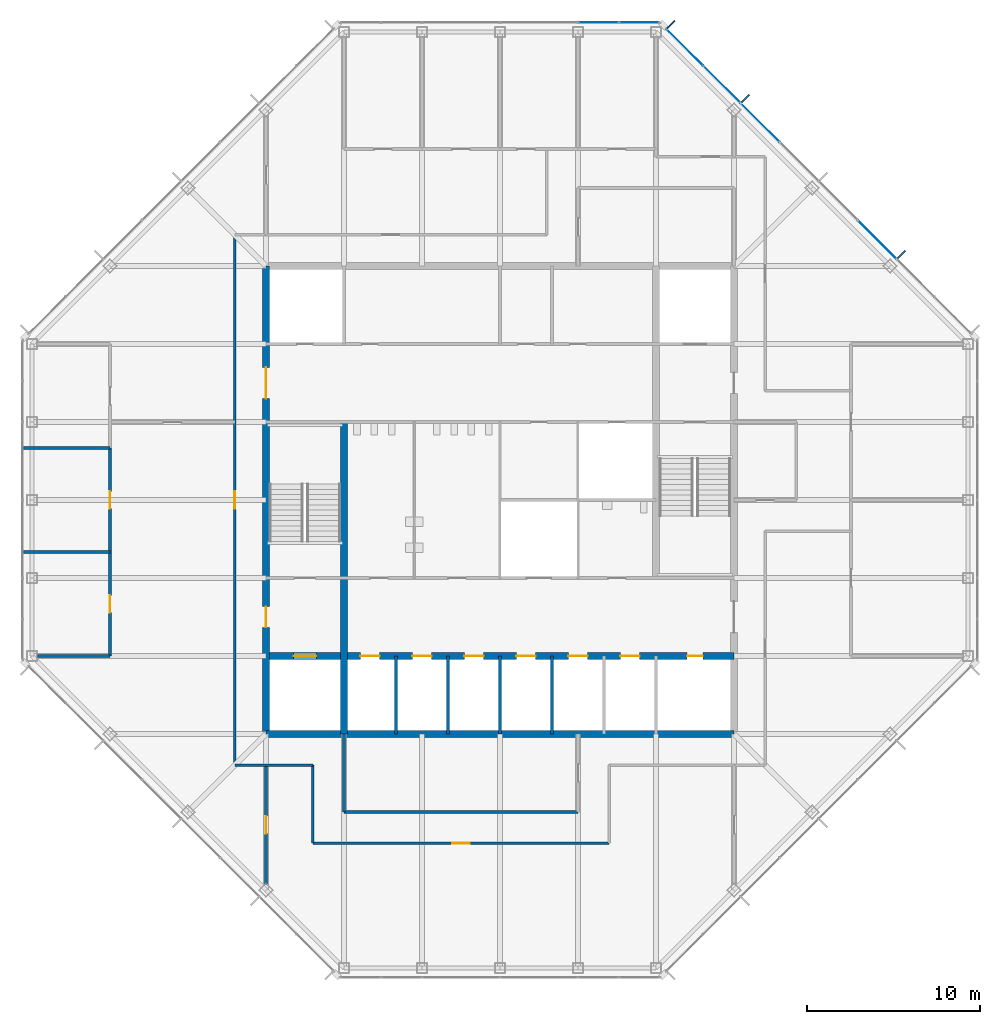
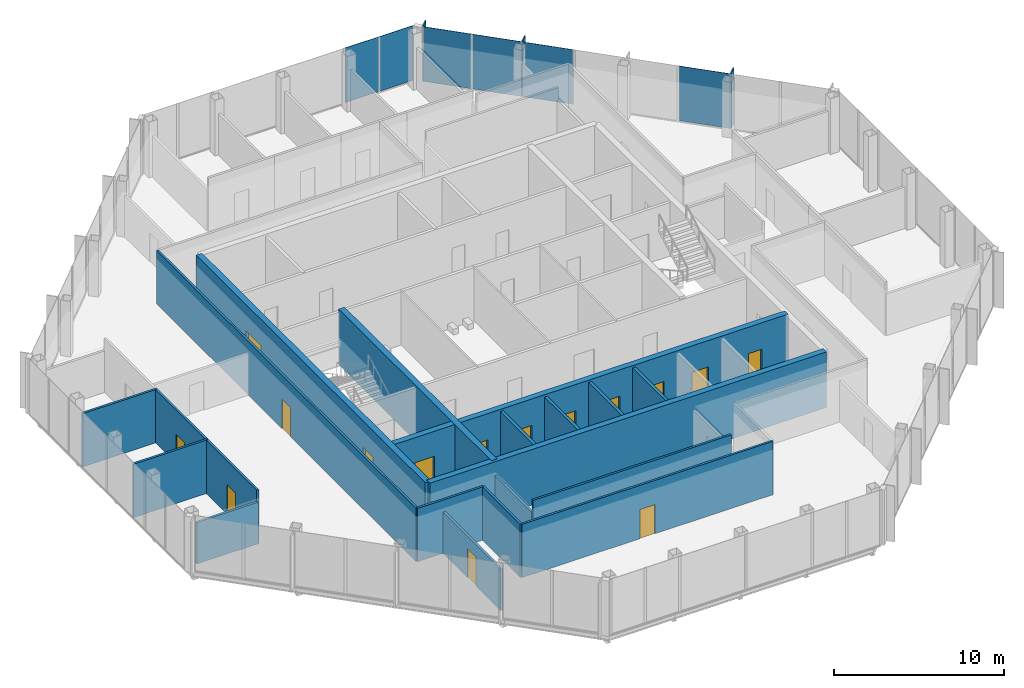
# One storey, part 9 of 14: 20 walls, 15 doors, 9 plates, 15 openings, 2 elements without a shape of their own.
"""IFC4 building model written with IfcOpenShell, lengths in metres."""

from ifc_helpers import new_model, si_unit, direction, frame, frame_2d, origin, origin_2d, place, context, subcontext, project, spatial, rectangle, extrude, material, layer, layer_set, type_object, element, fill, aggregate, save


model = new_model("IFC4")

# Units and contexts
model_context = context("Model", 3, precision=1e-05, world=origin(), true_north=direction((0.0, 1.0)))
body_context = subcontext(model_context, "Body", "Model", "MODEL_VIEW")
ifc_project = project(units=[si_unit("LENGTHUNIT", "METRE"), si_unit("AREAUNIT", "SQUARE_METRE"), si_unit("VOLUMEUNIT", "CUBIC_METRE"), si_unit("PLANEANGLEUNIT", "RADIAN"), si_unit("MASSUNIT", "GRAM", prefix="KILO")], contexts=[model_context])

# Site, building, storey
site_placement = place(None, origin())
site = spatial("IfcSite", under=ifc_project, at=site_placement, CompositionType="ELEMENT")
building_placement = place(site_placement, origin())
building = spatial("IfcBuilding", under=site, at=building_placement, Name="Corais Broadcast Tower", CompositionType="ELEMENT")
storey_placement = place(building_placement, frame((0.0, 0.0, 286.60009765625)))
storey = spatial("IfcBuildingStorey", under=building, at=storey_placement, Name="L67", CompositionType="ELEMENT", Elevation=286.60009765625)

# Curtain wall, plate
ifc_material_1 = material(Name="Aluminium and glass", Category="aluminium")
curtain_wall_type = type_object("IfcCurtainWallType", Name="Unitised fritted curtain wall CW3", PredefinedType="NOTDEFINED", material=ifc_material_1)
curtain_wall_1_placement = place(storey_placement, origin())
curtain_wall_1 = element("IfcCurtainWall", 1, at=curtain_wall_1_placement, inside=storey, type_object=curtain_wall_type, Name="CW3 curtain wall L67 4", PredefinedType="NOTDEFINED")
ifc_material_2 = material(Name="Ceramic-fritted laminated glass", Category="glass")
ifc_layer_1 = layer(ifc_material_2, 0.02587890625)
ifc_layer_set_1 = layer_set([ifc_layer_1], Name="Ceramic-fritted laminated glass")
plate_type_1 = type_object("IfcPlateType", Name="Fritted glass panel CW3", PredefinedType="CURTAIN_PANEL", material=ifc_layer_set_1)
plate_1_placement = place(storey_placement, frame((32.681884765625, 54.550048828125, 0.06494140625), z_axis=(0.0, 0.0, 1.0), x_axis=(1.0, 0.0, 0.0)))
plate_1 = element("IfcPlate", 2, at=plate_1_placement, type_object=plate_type_1, Name="CW3 panel 5", PredefinedType="CURTAIN_PANEL", context=body_context, shape_type="SweptSolid", body=[
    extrude(rectangle(XDim=2.298828125, YDim=0.02587890625, at=origin_2d()), origin(), (0.0, 0.0, 1.0), 3.93505859375),
])

# Curtain wall, plates
curtain_wall_2_placement = place(storey_placement, origin())
curtain_wall_2 = element("IfcCurtainWall", 3, at=curtain_wall_2_placement, inside=storey, type_object=curtain_wall_type, Name="CW3 curtain wall L67 5", PredefinedType="NOTDEFINED")
plate_2_placement = place(storey_placement, frame((37.669677734375, 53.108154296875, 0.06494140625), z_axis=(0.0, 0.0, 1.0), x_axis=(0.707106781187, -0.707106781187, 0.0)))
plate_2 = element("IfcPlate", 4, at=plate_2_placement, type_object=plate_type_1, Name="CW3 panel 1", PredefinedType="CURTAIN_PANEL", context=body_context, shape_type="SweptSolid", body=[
    extrude(rectangle(XDim=2.9482421875, YDim=0.02587890625, at=origin_2d()), origin(), (0.0, 0.0, 1.0), 3.93505859375),
])
plate_3_placement = place(storey_placement, frame((42.013916015625, 48.763916015625, 0.06494140625), z_axis=(0.0, 0.0, 1.0), x_axis=(0.707106781187, -0.707106781187, 0.0)))
plate_3 = element("IfcPlate", 5, at=plate_3_placement, type_object=plate_type_1, Name="CW3 panel 3", PredefinedType="CURTAIN_PANEL", context=body_context, shape_type="SweptSolid", body=[
    extrude(rectangle(XDim=3.116943359375, YDim=0.02587890625, at=origin_2d()), origin(), (0.0, 0.0, 1.0), 3.93505859375),
])

# Plate
ifc_material_3 = material(Name="Clear laminated glass", Category="glass")
ifc_layer_2 = layer(ifc_material_3, 0.030029296875)
ifc_layer_set_2 = layer_set([ifc_layer_2], Name="Clear laminated glass")
plate_type_2 = type_object("IfcPlateType", Name="Operable glass panel CW3", PredefinedType="CURTAIN_PANEL", material=ifc_layer_set_2)
plate_4_placement = place(storey_placement, frame((35.029541015625, 54.550048828125, 0.06494140625), z_axis=(0.0, 0.0, 1.0), x_axis=(1.0, 0.0, 0.0)))
plate_4 = element("IfcPlate", 6, at=plate_4_placement, type_object=plate_type_2, Name="CW3 operable panel 6", PredefinedType="CURTAIN_PANEL", context=body_context, shape_type="SweptSolid", body=[
    extrude(rectangle(XDim=2.266357421875, YDim=0.030029296875, at=origin_2d()), origin(), (0.0, 0.0, 1.0), 3.93505859375),
])

aggregate(curtain_wall_1, [plate_1, plate_4])

plate_5_placement = place(storey_placement, frame((39.81201171875, 50.9658203125, 0.06494140625), z_axis=(0.0, 0.0, 1.0), x_axis=(0.707106781187, -0.707106781187, 0.0)))
plate_5 = element("IfcPlate", 7, at=plate_5_placement, type_object=plate_type_2, Name="CW3 operable panel 2", PredefinedType="CURTAIN_PANEL", context=body_context, shape_type="SweptSolid", body=[
    extrude(rectangle(XDim=2.98095703125, YDim=0.030029296875, at=origin_2d()), origin(), (0.0, 0.0, 1.0), 3.93505859375),
])

plate_6_placement = place(storey_placement, frame((48.763916015625, 42.013916015625, 0.06494140625), z_axis=(0.0, 0.0, 1.0), x_axis=(0.707106781187, -0.707106781187, 0.0)))
plate_6 = element("IfcPlate", 8, at=plate_6_placement, type_object=plate_type_2, Name="CW3 operable panel 6", PredefinedType="CURTAIN_PANEL", context=body_context, shape_type="SweptSolid", body=[
    extrude(rectangle(XDim=3.116943359375, YDim=0.030029296875, at=origin_2d()), origin(), (0.0, 0.0, 1.0), 3.93505859375),
])

aggregate(curtain_wall_2, [plate_2, plate_5, plate_3, plate_6])

# Plates
ifc_material_4 = material(Name="Granite stone cladding", Category="masonry")
ifc_layer_3 = layer(ifc_material_4, 0.080078125)
ifc_layer_set_3 = layer_set([ifc_layer_3], Name="Granite stone cladding")
plate_type_3 = type_object("IfcPlateType", Name="Stone screen fin 80x600", PredefinedType="USERDEFINED", material=ifc_layer_set_3)
for number, where, z_axis, x_axis, name in (
    (9, (36.870849609375, 54.43994140625, 0.0), (0.0, 0.0, 1.0), (0.707106781187, -0.707106781187, 0.0), "SF1 stone screen fin L67"),
    (10, (41.155517578125, 50.155517578125, 0.0), (0.0, 0.0, 1.0), (0.707106781187, -0.707106781187, 0.0), "SF1 stone screen fin L67"),
    (11, (50.155517578125, 41.155517578125, 0.0), (0.0, 0.0, 1.0), (0.707106781187, -0.707106781187, 0.0), "SF1 stone screen fin L67"),
):
    element("IfcPlate", number, at=place(storey_placement, frame(where, z_axis=z_axis, x_axis=x_axis)), inside=storey, type_object=plate_type_3, Name=name, ObjectType="STONE SCREEN FIN", PredefinedType="USERDEFINED", context=body_context, shape_type="SweptSolid", body=[
        extrude(rectangle(XDim=0.080078125, YDim=0.60009765625, at=origin_2d()), origin(), (0.0, 0.0, 1.0), 4.0),
    ])

# Wall
ifc_material_5 = material(Name="Concrete C50/60", Category="concrete")
ifc_layer_4 = layer(ifc_material_5, 0.39990234375)
ifc_layer_set_4 = layer_set([ifc_layer_4], Name="Concrete C50/60")
wall_type_1 = type_object("IfcWallType", Name="Core wall 400", PredefinedType="SHEAR", material=ifc_layer_set_4)
wall_1_placement = place(storey_placement, frame((13.5, 13.5, 0.0), z_axis=(0.0, 0.0, 1.0), x_axis=(1.0, 0.0, 0.0)))
element("IfcWall", 12, at=wall_1_placement, inside=storey, type_object=wall_type_1, Name="CR400 core wall S L67", PredefinedType="SHEAR", context=body_context, shape_type="SweptSolid", body=[
    extrude(rectangle(XDim=27.0, YDim=0.39990234375, at=frame_2d((13.5, 0.0))), origin(), (0.0, 0.0, 1.0), 4.0),
])

# Wall, openings, doors
wall_2_placement = place(storey_placement, frame((13.5, 40.5, 0.0), z_axis=(0.0, 0.0, 1.0), x_axis=(0.0, -1.0, 0.0)))
wall_2 = element("IfcWall", 13, at=wall_2_placement, inside=storey, type_object=wall_type_1, Name="CR400 core wall W L67", PredefinedType="SHEAR", context=body_context, shape_type="SweptSolid", body=[
    extrude(rectangle(XDim=27.0, YDim=0.39990234375, at=frame_2d((13.5, 0.0))), origin(), (0.0, 0.0, 1.0), 4.0),
])
opening_1_placement = place(wall_2_placement, frame((19.64990234375, 0.0, 0.0)))
opening_1 = element("IfcOpeningElement", 14, at=opening_1_placement, cuts=wall_2, Name="Opening FD1", PredefinedType="OPENING", context=body_context, shape_type="SweptSolid", body=[
    extrude(rectangle(XDim=1.199951171875, YDim=2.10009765625, at=frame_2d((0.60009765625, 1.050048828125))), frame((0.0, 0.2099609375, 0.0), z_axis=(0.0, -1.0, 0.0), x_axis=(1.0, 0.0, 0.0)), (0.0, 0.0, 1.0), 0.419921875),
])
opening_2_placement = place(wall_2_placement, frame((5.85009765625, 0.0, 0.0)))
opening_2 = element("IfcOpeningElement", 15, at=opening_2_placement, cuts=wall_2, Name="Opening FD2", PredefinedType="OPENING", context=body_context, shape_type="SweptSolid", body=[
    extrude(rectangle(XDim=1.800048828125, YDim=2.10009765625, at=frame_2d((0.89990234375, 1.050048828125))), frame((0.0, 0.2099609375, 0.0), z_axis=(0.0, -1.0, 0.0), x_axis=(1.0, 0.0, 0.0)), (0.0, 0.0, 1.0), 0.419921875),
])
ifc_material_6 = material(Name="Steel fire door", Category="steel")
door_type_1 = type_object("IfcDoorType", Name="Fire door 1200x2100", OperationType="SINGLE_SWING_LEFT", PredefinedType="DOOR", material=ifc_material_6)
door_1_placement = place(opening_1_placement, origin())
door_1 = element("IfcDoor", 16, at=door_1_placement, inside=storey, type_object=door_type_1, Name="FD1 fire lobby A door L67", OperationType="SINGLE_SWING_RIGHT", OverallHeight=2.10009765625, OverallWidth=1.199951171875, PredefinedType="DOOR", context=body_context, shape_type="SweptSolid", body=[
    extrude(rectangle(XDim=1.199951171875, YDim=2.10009765625, at=frame_2d((0.60009765625, 1.050048828125))), frame((0.0, 0.02490234375, 0.0), z_axis=(0.0, -1.0, 0.0), x_axis=(1.0, 0.0, 0.0)), (0.0, 0.0, 1.0), 0.050048828125),
])
fill(opening_1, door_1)
ifc_material_7 = material(Name="Steel fire door", Category="steel")
door_type_2 = type_object("IfcDoorType", Name="Fire door pair 1800x2100", OperationType="DOUBLE_DOOR_SINGLE_SWING", PredefinedType="DOOR", material=ifc_material_7)
door_2_placement = place(opening_2_placement, origin())
door_2 = element("IfcDoor", 17, at=door_2_placement, inside=storey, type_object=door_type_2, Name="FD2 lift lobby door L67", OperationType="SINGLE_SWING_LEFT", OverallHeight=2.10009765625, OverallWidth=1.800048828125, PredefinedType="DOOR", context=body_context, shape_type="SweptSolid", body=[
    extrude(rectangle(XDim=1.800048828125, YDim=2.10009765625, at=frame_2d((0.89990234375, 1.050048828125))), frame((0.0, 0.02490234375, 0.0), z_axis=(0.0, -1.0, 0.0), x_axis=(1.0, 0.0, 0.0)), (0.0, 0.0, 1.0), 0.050048828125),
])
fill(opening_2, door_2)

# Wall
wall_3_placement = place(storey_placement, frame((18.0, 13.5, 0.0), z_axis=(0.0, 0.0, 1.0), x_axis=(0.0, 1.0, 0.0)))
element("IfcWall", 18, at=wall_3_placement, inside=storey, type_object=wall_type_1, Name="CR400 core wall X18A L67", PredefinedType="SHEAR", context=body_context, shape_type="SweptSolid", body=[
    extrude(rectangle(XDim=18.0, YDim=0.39990234375, at=frame_2d((9.0, 0.0))), origin(), (0.0, 0.0, 1.0), 4.0),
])

# Wall, openings, doors
wall_4_placement = place(storey_placement, frame((13.5, 18.0, 0.0), z_axis=(0.0, 0.0, 1.0), x_axis=(1.0, 0.0, 0.0)))
wall_4 = element("IfcWall", 19, at=wall_4_placement, inside=storey, type_object=wall_type_1, Name="CR400 core wall Y18 L67", PredefinedType="SHEAR", context=body_context, shape_type="SweptSolid", body=[
    extrude(rectangle(XDim=27.0, YDim=0.39990234375, at=frame_2d((13.5, 0.0))), origin(), (0.0, 0.0, 1.0), 4.0),
])
opening_3_placement = place(wall_4_placement, frame((24.300048828125, 0.0, 0.0)))
opening_3 = element("IfcOpeningElement", 20, at=opening_3_placement, cuts=wall_4, Name="Opening RD1", PredefinedType="OPENING", context=body_context, shape_type="SweptSolid", body=[
    extrude(rectangle(XDim=0.89990234375, YDim=2.10009765625, at=frame_2d((0.449951171875, 1.050048828125))), frame((0.0, 0.2099609375, 0.0), z_axis=(0.0, -1.0, 0.0), x_axis=(1.0, 0.0, 0.0)), (0.0, 0.0, 1.0), 0.419921875),
])
opening_4_placement = place(wall_4_placement, frame((5.449951171875, 0.0, 0.0)))
opening_4 = element("IfcOpeningElement", 21, at=opening_4_placement, cuts=wall_4, Name="Opening LD1", PredefinedType="OPENING", context=body_context, shape_type="SweptSolid", body=[
    extrude(rectangle(XDim=1.10009765625, YDim=2.10009765625, at=frame_2d((0.550048828125, 1.050048828125))), frame((0.0, 0.2099609375, 0.0), z_axis=(0.0, -1.0, 0.0), x_axis=(1.0, 0.0, 0.0)), (0.0, 0.0, 1.0), 0.419921875),
])
opening_5_placement = place(wall_4_placement, frame((8.449951171875, 0.0, 0.0)))
opening_5 = element("IfcOpeningElement", 22, at=opening_5_placement, cuts=wall_4, Name="Opening LD1", PredefinedType="OPENING", context=body_context, shape_type="SweptSolid", body=[
    extrude(rectangle(XDim=1.10009765625, YDim=2.10009765625, at=frame_2d((0.550048828125, 1.050048828125))), frame((0.0, 0.2099609375, 0.0), z_axis=(0.0, -1.0, 0.0), x_axis=(1.0, 0.0, 0.0)), (0.0, 0.0, 1.0), 0.419921875),
])
opening_6_placement = place(wall_4_placement, frame((11.449951171875, 0.0, 0.0)))
opening_6 = element("IfcOpeningElement", 23, at=opening_6_placement, cuts=wall_4, Name="Opening LD1", PredefinedType="OPENING", context=body_context, shape_type="SweptSolid", body=[
    extrude(rectangle(XDim=1.10009765625, YDim=2.10009765625, at=frame_2d((0.550048828125, 1.050048828125))), frame((0.0, 0.2099609375, 0.0), z_axis=(0.0, -1.0, 0.0), x_axis=(1.0, 0.0, 0.0)), (0.0, 0.0, 1.0), 0.419921875),
])
opening_7_placement = place(wall_4_placement, frame((14.449951171875, 0.0, 0.0)))
opening_7 = element("IfcOpeningElement", 24, at=opening_7_placement, cuts=wall_4, Name="Opening LD1", PredefinedType="OPENING", context=body_context, shape_type="SweptSolid", body=[
    extrude(rectangle(XDim=1.10009765625, YDim=2.10009765625, at=frame_2d((0.550048828125, 1.050048828125))), frame((0.0, 0.2099609375, 0.0), z_axis=(0.0, -1.0, 0.0), x_axis=(1.0, 0.0, 0.0)), (0.0, 0.0, 1.0), 0.419921875),
])
opening_8_placement = place(wall_4_placement, frame((17.449951171875, 0.0, 0.0)))
opening_8 = element("IfcOpeningElement", 25, at=opening_8_placement, cuts=wall_4, Name="Opening LD1", PredefinedType="OPENING", context=body_context, shape_type="SweptSolid", body=[
    extrude(rectangle(XDim=1.10009765625, YDim=2.10009765625, at=frame_2d((0.550048828125, 1.050048828125))), frame((0.0, 0.2099609375, 0.0), z_axis=(0.0, -1.0, 0.0), x_axis=(1.0, 0.0, 0.0)), (0.0, 0.0, 1.0), 0.419921875),
])
opening_9_placement = place(wall_4_placement, frame((20.449951171875, 0.0, 0.0)))
opening_9 = element("IfcOpeningElement", 26, at=opening_9_placement, cuts=wall_4, Name="Opening LD1", PredefinedType="OPENING", context=body_context, shape_type="SweptSolid", body=[
    extrude(rectangle(XDim=1.10009765625, YDim=2.10009765625, at=frame_2d((0.550048828125, 1.050048828125))), frame((0.0, 0.2099609375, 0.0), z_axis=(0.0, -1.0, 0.0), x_axis=(1.0, 0.0, 0.0)), (0.0, 0.0, 1.0), 0.419921875),
])
opening_10_placement = place(wall_4_placement, frame((1.60009765625, 0.0, 0.0)))
opening_10 = element("IfcOpeningElement", 27, at=opening_10_placement, cuts=wall_4, Name="Opening LD2", PredefinedType="OPENING", context=body_context, shape_type="SweptSolid", body=[
    extrude(rectangle(XDim=1.300048828125, YDim=2.199951171875, at=frame_2d((0.64990234375, 1.10009765625))), frame((0.0, 0.2099609375, 0.0), z_axis=(0.0, -1.0, 0.0), x_axis=(1.0, 0.0, 0.0)), (0.0, 0.0, 1.0), 0.419921875),
])
ifc_material_8 = material(Name="Stainless steel lift door", Category="steel")
door_type_3 = type_object("IfcDoorType", Name="Lift landing door 1100x2100", OperationType="SLIDING_TO_LEFT", PredefinedType="DOOR", material=ifc_material_8)
door_3_placement = place(opening_4_placement, origin())
door_3 = element("IfcDoor", 28, at=door_3_placement, inside=storey, type_object=door_type_3, Name="LD1 PH1 landing door L67", OperationType="SLIDING_TO_LEFT", OverallHeight=2.10009765625, OverallWidth=1.10009765625, PredefinedType="DOOR", context=body_context, shape_type="SweptSolid", body=[
    extrude(rectangle(XDim=1.10009765625, YDim=2.10009765625, at=frame_2d((0.550048828125, 1.050048828125))), frame((0.0, 0.02490234375, 0.0), z_axis=(0.0, -1.0, 0.0), x_axis=(1.0, 0.0, 0.0)), (0.0, 0.0, 1.0), 0.050048828125),
])
fill(opening_4, door_3)
door_4_placement = place(opening_5_placement, origin())
door_4 = element("IfcDoor", 29, at=door_4_placement, inside=storey, type_object=door_type_3, Name="LD1 PH2 landing door L67", OperationType="SLIDING_TO_LEFT", OverallHeight=2.10009765625, OverallWidth=1.10009765625, PredefinedType="DOOR", context=body_context, shape_type="SweptSolid", body=[
    extrude(rectangle(XDim=1.10009765625, YDim=2.10009765625, at=frame_2d((0.550048828125, 1.050048828125))), frame((0.0, 0.02490234375, 0.0), z_axis=(0.0, -1.0, 0.0), x_axis=(1.0, 0.0, 0.0)), (0.0, 0.0, 1.0), 0.050048828125),
])
fill(opening_5, door_4)
door_5_placement = place(opening_6_placement, origin())
door_5 = element("IfcDoor", 30, at=door_5_placement, inside=storey, type_object=door_type_3, Name="LD1 PH3 landing door L67", OperationType="SLIDING_TO_LEFT", OverallHeight=2.10009765625, OverallWidth=1.10009765625, PredefinedType="DOOR", context=body_context, shape_type="SweptSolid", body=[
    extrude(rectangle(XDim=1.10009765625, YDim=2.10009765625, at=frame_2d((0.550048828125, 1.050048828125))), frame((0.0, 0.02490234375, 0.0), z_axis=(0.0, -1.0, 0.0), x_axis=(1.0, 0.0, 0.0)), (0.0, 0.0, 1.0), 0.050048828125),
])
fill(opening_6, door_5)
door_6_placement = place(opening_7_placement, origin())
door_6 = element("IfcDoor", 31, at=door_6_placement, inside=storey, type_object=door_type_3, Name="LD1 PH4 landing door L67", OperationType="SLIDING_TO_LEFT", OverallHeight=2.10009765625, OverallWidth=1.10009765625, PredefinedType="DOOR", context=body_context, shape_type="SweptSolid", body=[
    extrude(rectangle(XDim=1.10009765625, YDim=2.10009765625, at=frame_2d((0.550048828125, 1.050048828125))), frame((0.0, 0.02490234375, 0.0), z_axis=(0.0, -1.0, 0.0), x_axis=(1.0, 0.0, 0.0)), (0.0, 0.0, 1.0), 0.050048828125),
])
fill(opening_7, door_6)
door_7_placement = place(opening_8_placement, origin())
door_7 = element("IfcDoor", 32, at=door_7_placement, inside=storey, type_object=door_type_3, Name="LD1 PH5 landing door L67", OperationType="SLIDING_TO_LEFT", OverallHeight=2.10009765625, OverallWidth=1.10009765625, PredefinedType="DOOR", context=body_context, shape_type="SweptSolid", body=[
    extrude(rectangle(XDim=1.10009765625, YDim=2.10009765625, at=frame_2d((0.550048828125, 1.050048828125))), frame((0.0, 0.02490234375, 0.0), z_axis=(0.0, -1.0, 0.0), x_axis=(1.0, 0.0, 0.0)), (0.0, 0.0, 1.0), 0.050048828125),
])
fill(opening_8, door_7)
door_8_placement = place(opening_9_placement, origin())
door_8 = element("IfcDoor", 33, at=door_8_placement, inside=storey, type_object=door_type_3, Name="LD1 PH6 landing door L67", OperationType="SLIDING_TO_LEFT", OverallHeight=2.10009765625, OverallWidth=1.10009765625, PredefinedType="DOOR", context=body_context, shape_type="SweptSolid", body=[
    extrude(rectangle(XDim=1.10009765625, YDim=2.10009765625, at=frame_2d((0.550048828125, 1.050048828125))), frame((0.0, 0.02490234375, 0.0), z_axis=(0.0, -1.0, 0.0), x_axis=(1.0, 0.0, 0.0)), (0.0, 0.0, 1.0), 0.050048828125),
])
fill(opening_9, door_8)
ifc_material_9 = material(Name="Stainless steel lift door", Category="steel")
door_type_4 = type_object("IfcDoorType", Name="Lift landing door 1300x2200", OperationType="SLIDING_TO_LEFT", PredefinedType="DOOR", material=ifc_material_9)
door_9_placement = place(opening_10_placement, origin())
door_9 = element("IfcDoor", 34, at=door_9_placement, inside=storey, type_object=door_type_4, Name="LD2 FL1 landing door L67", OperationType="SLIDING_TO_LEFT", OverallHeight=2.199951171875, OverallWidth=1.300048828125, PredefinedType="DOOR", context=body_context, shape_type="SweptSolid", body=[
    extrude(rectangle(XDim=1.300048828125, YDim=2.199951171875, at=frame_2d((0.64990234375, 1.10009765625))), frame((0.0, 0.02490234375, 0.0), z_axis=(0.0, -1.0, 0.0), x_axis=(1.0, 0.0, 0.0)), (0.0, 0.0, 1.0), 0.050048828125),
])
fill(opening_10, door_9)
ifc_material_10 = material(Name="Steel fire door", Category="steel")
door_type_5 = type_object("IfcDoorType", Name="Riser door 900x2100", OperationType="SINGLE_SWING_LEFT", PredefinedType="DOOR", material=ifc_material_10)
door_10_placement = place(opening_3_placement, origin())
door_10 = element("IfcDoor", 35, at=door_10_placement, inside=storey, type_object=door_type_5, Name="RD1 riser door L67", OperationType="SINGLE_SWING_RIGHT", OverallHeight=2.10009765625, OverallWidth=0.89990234375, PredefinedType="DOOR", context=body_context, shape_type="SweptSolid", body=[
    extrude(rectangle(XDim=0.89990234375, YDim=2.10009765625, at=frame_2d((0.449951171875, 1.050048828125))), frame((0.0, 0.02490234375, 0.0), z_axis=(0.0, -1.0, 0.0), x_axis=(1.0, 0.0, 0.0)), (0.0, 0.0, 1.0), 0.050048828125),
])
fill(opening_3, door_10)

# Wall, opening, door
ifc_material_11 = material(Name="Gypsum board on steel studs", Category="steel")
ifc_layer_5 = layer(ifc_material_11, 0.14990234375)
ifc_layer_set_5 = layer_set([ifc_layer_5], Name="Gypsum board on steel studs")
wall_type_2 = type_object("IfcWallType", Name="Partition 150", PredefinedType="PARTITIONING", material=ifc_layer_set_5)
wall_5_placement = place(storey_placement, frame((11.699951171875, 42.300048828125, 0.0), z_axis=(0.0, 0.0, 1.0), x_axis=(0.0, -1.0, 0.0)))
wall_5 = element("IfcWall", 36, at=wall_5_placement, inside=storey, type_object=wall_type_2, Name="IW3 corridor wall L67", PredefinedType="PARTITIONING", context=body_context, shape_type="SweptSolid", body=[
    extrude(rectangle(XDim=30.60009765625, YDim=0.14990234375, at=frame_2d((15.300048828125, 0.0))), origin(), (0.0, 0.0, 1.0), 3.83984375),
])
opening_11_placement = place(wall_5_placement, frame((14.800048828125, 0.0, 0.0)))
opening_11 = element("IfcOpeningElement", 37, at=opening_11_placement, cuts=wall_5, Name="Opening D1", PredefinedType="OPENING", context=body_context, shape_type="SweptSolid", body=[
    extrude(rectangle(XDim=1.0, YDim=2.10009765625, at=frame_2d((0.5, 1.050048828125))), frame((0.0, 0.0849609375, 0.0), z_axis=(0.0, -1.0, 0.0), x_axis=(1.0, 0.0, 0.0)), (0.0, 0.0, 1.0), 0.169921875),
])
ifc_material_12 = material(Name="Timber door", Category="wood")
door_type_6 = type_object("IfcDoorType", Name="Single door 1000x2100", OperationType="SINGLE_SWING_LEFT", PredefinedType="DOOR", material=ifc_material_12)
door_11_placement = place(opening_11_placement, origin())
door_11 = element("IfcDoor", 38, at=door_11_placement, inside=storey, type_object=door_type_6, Name="D1 workplace door L67", OperationType="SINGLE_SWING_LEFT", OverallHeight=2.10009765625, OverallWidth=1.0, PredefinedType="DOOR", context=body_context, shape_type="SweptSolid", body=[
    extrude(rectangle(XDim=1.0, YDim=2.10009765625, at=frame_2d((0.5, 1.050048828125))), frame((0.0, 0.02490234375, 0.0), z_axis=(0.0, -1.0, 0.0), x_axis=(1.0, 0.0, 0.0)), (0.0, 0.0, 1.0), 0.050048828125),
])
fill(opening_11, door_11)

wall_6_placement = place(storey_placement, frame((16.199951171875, 7.199951171875, 0.0), z_axis=(0.0, 0.0, 1.0), x_axis=(1.0, 0.0, 0.0)))
wall_6 = element("IfcWall", 39, at=wall_6_placement, inside=storey, type_object=wall_type_2, Name="IW3 corridor wall L67", PredefinedType="PARTITIONING", context=body_context, shape_type="SweptSolid", body=[
    extrude(rectangle(XDim=17.10009765625, YDim=0.14990234375, at=frame_2d((8.550048828125, 0.0))), origin(), (0.0, 0.0, 1.0), 3.83984375),
])
opening_12_placement = place(wall_6_placement, frame((8.050048828125, 0.0, 0.0)))
opening_12 = element("IfcOpeningElement", 40, at=opening_12_placement, cuts=wall_6, Name="Opening D1", PredefinedType="OPENING", context=body_context, shape_type="SweptSolid", body=[
    extrude(rectangle(XDim=1.0, YDim=2.10009765625, at=frame_2d((0.5, 1.050048828125))), frame((0.0, 0.0849609375, 0.0), z_axis=(0.0, -1.0, 0.0), x_axis=(1.0, 0.0, 0.0)), (0.0, 0.0, 1.0), 0.169921875),
])
door_12_placement = place(opening_12_placement, origin())
door_12 = element("IfcDoor", 41, at=door_12_placement, inside=storey, type_object=door_type_6, Name="D1 workplace door L67", OperationType="SINGLE_SWING_LEFT", OverallHeight=2.10009765625, OverallWidth=1.0, PredefinedType="DOOR", context=body_context, shape_type="SweptSolid", body=[
    extrude(rectangle(XDim=1.0, YDim=2.10009765625, at=frame_2d((0.5, 1.050048828125))), frame((0.0, 0.02490234375, 0.0), z_axis=(0.0, -1.0, 0.0), x_axis=(1.0, 0.0, 0.0)), (0.0, 0.0, 1.0), 0.050048828125),
])
fill(opening_12, door_12)

# Walls
for number, where, z_axis, x_axis, name in (
    (42, (11.699951171875, 11.699951171875, 0.0), (0.0, 0.0, 1.0), (1.0, 0.0, 0.0), "IW3 corridor wall L67"),
    (43, (16.199951171875, 11.699951171875, 0.0), (0.0, 0.0, 1.0), (0.0, -1.0, 0.0), "IW3 corridor wall L67"),
):
    element("IfcWall", number, at=place(storey_placement, frame(where, z_axis=z_axis, x_axis=x_axis)), inside=storey, type_object=wall_type_2, Name=name, PredefinedType="PARTITIONING", context=body_context, shape_type="SweptSolid", body=[
        extrude(rectangle(XDim=4.5, YDim=0.14990234375, at=frame_2d((2.25, 0.0))), origin(), (0.0, 0.0, 1.0), 3.83984375),
    ])
wall_7_placement = place(storey_placement, frame((0.31005859375, 18.0, 0.0), z_axis=(0.0, 0.0, 1.0), x_axis=(1.0, 0.0, 0.0)))
element("IfcWall", 44, at=wall_7_placement, inside=storey, type_object=wall_type_2, Name="IW3 partition L67", PredefinedType="PARTITIONING", context=body_context, shape_type="SweptSolid", body=[
    extrude(rectangle(XDim=4.18994140625, YDim=0.14990234375, at=frame_2d((2.094970703125, 0.0))), origin(), (0.0, 0.0, 1.0), 2.989013671875),
])

# Wall, opening, door
wall_8_placement = place(storey_placement, frame((4.5, 18.0, 0.0), z_axis=(0.0, 0.0, 1.0), x_axis=(0.0, 1.0, 0.0)))
wall_8 = element("IfcWall", 45, at=wall_8_placement, inside=storey, type_object=wall_type_2, Name="IW3 partition L67", PredefinedType="PARTITIONING", context=body_context, shape_type="SweptSolid", body=[
    extrude(rectangle(XDim=6.0, YDim=0.14990234375, at=frame_2d((3.0, 0.0))), origin(), (0.0, 0.0, 1.0), 3.83984375),
])
opening_13_placement = place(wall_8_placement, frame((2.5, 0.0, 0.0)))
opening_13 = element("IfcOpeningElement", 46, at=opening_13_placement, cuts=wall_8, Name="Opening D1", PredefinedType="OPENING", context=body_context, shape_type="SweptSolid", body=[
    extrude(rectangle(XDim=1.0, YDim=2.10009765625, at=frame_2d((0.5, 1.050048828125))), frame((0.0, 0.0849609375, 0.0), z_axis=(0.0, -1.0, 0.0), x_axis=(1.0, 0.0, 0.0)), (0.0, 0.0, 1.0), 0.169921875),
])
door_13_placement = place(opening_13_placement, origin())
door_13 = element("IfcDoor", 47, at=door_13_placement, inside=storey, type_object=door_type_6, Name="D1 Office door", OperationType="SINGLE_SWING_LEFT", OverallHeight=2.10009765625, OverallWidth=1.0, PredefinedType="DOOR", context=body_context, shape_type="SweptSolid", body=[
    extrude(rectangle(XDim=1.0, YDim=2.10009765625, at=frame_2d((0.5, 1.050048828125))), frame((0.0, 0.02490234375, 0.0), z_axis=(0.0, -1.0, 0.0), x_axis=(1.0, 0.0, 0.0)), (0.0, 0.0, 1.0), 0.050048828125),
])
fill(opening_13, door_13)

# Wall
wall_9_placement = place(storey_placement, frame((4.5, 24.0, 0.0), z_axis=(0.0, 0.0, 1.0), x_axis=(-1.0, 0.0, 0.0)))
element("IfcWall", 48, at=wall_9_placement, inside=storey, type_object=wall_type_2, Name="IW3 partition L67", PredefinedType="PARTITIONING", context=body_context, shape_type="SweptSolid", body=[
    extrude(rectangle(XDim=5.02001953125, YDim=0.14990234375, at=frame_2d((2.510009765625, 0.0))), origin(), (0.0, 0.0, 1.0), 3.83984375),
])

# Wall, opening, door
wall_10_placement = place(storey_placement, frame((4.5, 24.0, 0.0), z_axis=(0.0, 0.0, 1.0), x_axis=(0.0, 1.0, 0.0)))
wall_10 = element("IfcWall", 49, at=wall_10_placement, inside=storey, type_object=wall_type_2, Name="IW3 partition L67", PredefinedType="PARTITIONING", context=body_context, shape_type="SweptSolid", body=[
    extrude(rectangle(XDim=6.0, YDim=0.14990234375, at=frame_2d((3.0, 0.0))), origin(), (0.0, 0.0, 1.0), 3.83984375),
])
opening_14_placement = place(wall_10_placement, frame((2.5, 0.0, 0.0)))
opening_14 = element("IfcOpeningElement", 50, at=opening_14_placement, cuts=wall_10, Name="Opening D1", PredefinedType="OPENING", context=body_context, shape_type="SweptSolid", body=[
    extrude(rectangle(XDim=1.0, YDim=2.10009765625, at=frame_2d((0.5, 1.050048828125))), frame((0.0, 0.0849609375, 0.0), z_axis=(0.0, -1.0, 0.0), x_axis=(1.0, 0.0, 0.0)), (0.0, 0.0, 1.0), 0.169921875),
])
door_14_placement = place(opening_14_placement, origin())
door_14 = element("IfcDoor", 51, at=door_14_placement, inside=storey, type_object=door_type_6, Name="D1 Office door", OperationType="SINGLE_SWING_LEFT", OverallHeight=2.10009765625, OverallWidth=1.0, PredefinedType="DOOR", context=body_context, shape_type="SweptSolid", body=[
    extrude(rectangle(XDim=1.0, YDim=2.10009765625, at=frame_2d((0.5, 1.050048828125))), frame((0.0, 0.02490234375, 0.0), z_axis=(0.0, -1.0, 0.0), x_axis=(1.0, 0.0, 0.0)), (0.0, 0.0, 1.0), 0.050048828125),
])
fill(opening_14, door_14)

# Walls
wall_11_placement = place(storey_placement, frame((4.5, 30.0, 0.0), z_axis=(0.0, 0.0, 1.0), x_axis=(-1.0, 0.0, 0.0)))
element("IfcWall", 52, at=wall_11_placement, inside=storey, type_object=wall_type_2, Name="IW3 partition L67", PredefinedType="PARTITIONING", context=body_context, shape_type="SweptSolid", body=[
    extrude(rectangle(XDim=5.02001953125, YDim=0.14990234375, at=frame_2d((2.510009765625, 0.0))), origin(), (0.0, 0.0, 1.0), 3.83984375),
])
wall_12_placement = place(storey_placement, frame((18.0, 9.0, 0.0), z_axis=(0.0, 0.0, 1.0), x_axis=(1.0, 0.0, 0.0)))
element("IfcWall", 53, at=wall_12_placement, inside=storey, type_object=wall_type_2, Name="IW3 partition L67", PredefinedType="PARTITIONING", context=body_context, shape_type="SweptSolid", body=[
    extrude(rectangle(XDim=13.5, YDim=0.14990234375, at=frame_2d((6.75, 0.0))), origin(), (0.0, 0.0, 1.0), 3.83984375),
])
wall_13_placement = place(storey_placement, frame((18.0, 13.5, 0.0), z_axis=(0.0, 0.0, 1.0), x_axis=(0.0, -1.0, 0.0)))
element("IfcWall", 54, at=wall_13_placement, inside=storey, type_object=wall_type_2, Name="IW3 partition L67", PredefinedType="PARTITIONING", context=body_context, shape_type="SweptSolid", body=[
    extrude(rectangle(XDim=4.5, YDim=0.14990234375, at=frame_2d((2.25, 0.0))), origin(), (0.0, 0.0, 1.0), 2.989013671875),
])

# Wall, opening, door
wall_14_placement = place(storey_placement, frame((13.5, 4.820068359375, 0.0), z_axis=(0.0, 0.0, 1.0), x_axis=(0.0, 1.0, 0.0)))
wall_14 = element("IfcWall", 55, at=wall_14_placement, inside=storey, type_object=wall_type_2, Name="IW3 partition L67", PredefinedType="PARTITIONING", context=body_context, shape_type="SweptSolid", body=[
    extrude(rectangle(XDim=6.8798828125, YDim=0.14990234375, at=frame_2d((3.43994140625, 0.0))), origin(), (0.0, 0.0, 1.0), 2.989013671875),
])
opening_15_placement = place(wall_14_placement, frame((2.93994140625, 0.0, 0.0)))
opening_15 = element("IfcOpeningElement", 56, at=opening_15_placement, cuts=wall_14, Name="Opening D1", PredefinedType="OPENING", context=body_context, shape_type="SweptSolid", body=[
    extrude(rectangle(XDim=1.0, YDim=2.10009765625, at=frame_2d((0.5, 1.050048828125))), frame((0.0, 0.0849609375, 0.0), z_axis=(0.0, -1.0, 0.0), x_axis=(1.0, 0.0, 0.0)), (0.0, 0.0, 1.0), 0.169921875),
])
door_15_placement = place(opening_15_placement, origin())
door_15 = element("IfcDoor", 57, at=door_15_placement, inside=storey, type_object=door_type_6, Name="D1 team room door L67", OperationType="SINGLE_SWING_LEFT", OverallHeight=2.10009765625, OverallWidth=1.0, PredefinedType="DOOR", context=body_context, shape_type="SweptSolid", body=[
    extrude(rectangle(XDim=1.0, YDim=2.10009765625, at=frame_2d((0.5, 1.050048828125))), frame((0.0, 0.02490234375, 0.0), z_axis=(0.0, -1.0, 0.0), x_axis=(1.0, 0.0, 0.0)), (0.0, 0.0, 1.0), 0.050048828125),
])
fill(opening_15, door_15)

# Walls
ifc_material_13 = material(Name="Concrete blockwork class A, grouted, two-hour", Category="masonry")
ifc_layer_6 = layer(ifc_material_13, 0.199951171875)
ifc_layer_set_6 = layer_set([ifc_layer_6], Name="Concrete blockwork class A, grouted, two-hour")
wall_type_3 = type_object("IfcWallType", Name="Shaft wall 200", PredefinedType="PARTITIONING", material=ifc_layer_set_6)
for number, where, z_axis, x_axis, name in (
    (58, (21.0, 13.5, 0.0), (0.0, 0.0, 1.0), (0.0, 1.0, 0.0), "IW1 shaft wall L67"),
    (59, (24.0, 13.5, 0.0), (0.0, 0.0, 1.0), (0.0, 1.0, 0.0), "IW1 shaft wall L67"),
    (60, (27.0, 13.5, 0.0), (0.0, 0.0, 1.0), (0.0, 1.0, 0.0), "IW1 shaft wall L67"),
    (61, (30.0, 13.5, 0.0), (0.0, 0.0, 1.0), (0.0, 1.0, 0.0), "IW1 shaft wall L67"),
):
    element("IfcWall", number, at=place(storey_placement, frame(where, z_axis=z_axis, x_axis=x_axis)), inside=storey, type_object=wall_type_3, Name=name, PredefinedType="PARTITIONING", context=body_context, shape_type="SweptSolid", body=[
        extrude(rectangle(XDim=4.5, YDim=0.199951171875, at=frame_2d((2.25, 0.0))), origin(), (0.0, 0.0, 1.0), 3.83984375),
    ])

save(model, "model.ifc")
